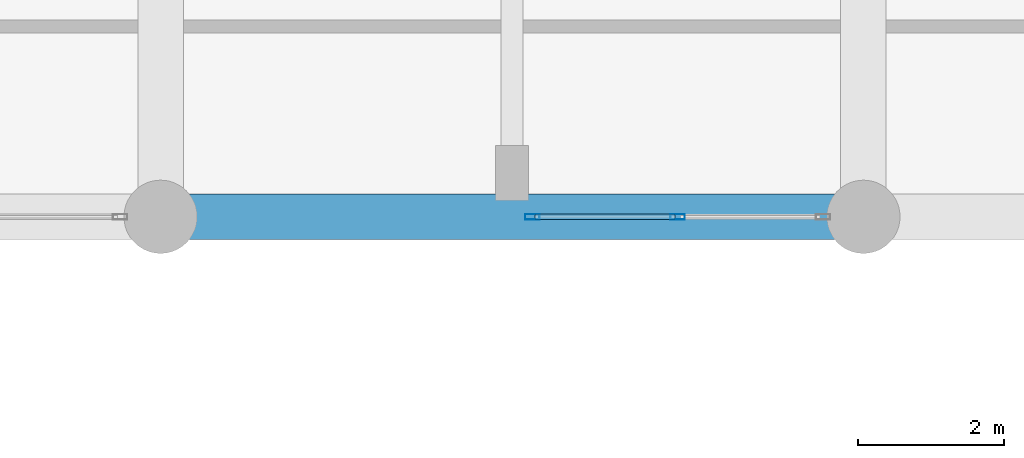
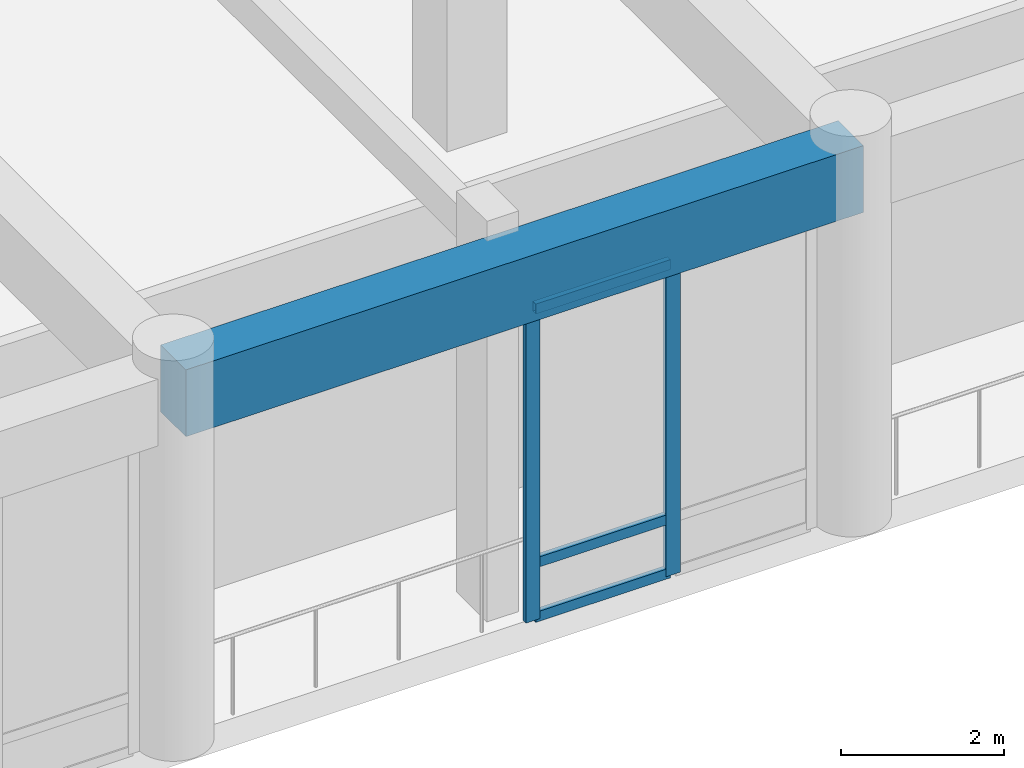
# One storey, part 29 of 87: 5 members, 1 beam, 1 element without a shape of its own.
"""IFC4 building model written with IfcOpenShell, lengths in metres."""

import ifcopenshell
import ifcopenshell.guid

model = None  # the IFC model being written
_history = None  # IfcOwnerHistory: only IFC2X3 demands one
_inside = {}  # id of a spatial element -> (the spatial element, [elements in it])
_under = {}  # id of a project, library or spatial element -> (it, [spatial elements below it])
_declared = {}  # id of a project -> (the project, [libraries it declares])
_typed = {}  # id of a type object -> (the type object, [elements of that type])
_made_of = {}  # id of a material, layer set ... -> (it, [elements and type objects made of it])


def new_model(schema):
    """Start an empty IFC model of exactly this schema.

    Asked for "IFC4X3", IfcOpenShell would pick the latest addendum, in which some entities
    have other attributes; the version numbers below select the first issue.
    IFC2X3 requires an IfcOwnerHistory on every rooted entity: one is made here for all.
    """
    global model, _history
    if schema == "IFC4X3":
        model = ifcopenshell.file(schema_version=(4, 3, 0, 0))
    else:
        model = ifcopenshell.file(schema=schema)
    _inside.clear()
    _under.clear()
    _declared.clear()
    _typed.clear()
    _made_of.clear()
    _history = None
    if model.schema == "IFC2X3":
        org = make("IfcOrganization", Name="unknown")
        user = make(
            "IfcPersonAndOrganization",
            ThePerson=make("IfcPerson", FamilyName="unknown"),
            TheOrganization=org,
        )
        app = make(
            "IfcApplication",
            ApplicationDeveloper=org,
            Version="unknown",
            ApplicationFullName="unknown",
            ApplicationIdentifier="unknown",
        )
        _history = make(
            "IfcOwnerHistory",
            OwningUser=user,
            OwningApplication=app,
            ChangeAction="ADDED",
            CreationDate=0,
        )
    return model


def make(cls, **values):
    """One entity of the class cls with the attributes given. An attribute that is None is left unset."""
    return model.create_entity(
        cls, **{name: value for name, value in values.items() if value is not None}
    )


def rooted(cls, **values):
    """An entity with a GlobalId (a new one), such as an element, a storey or a relation."""
    return make(cls, GlobalId=ifcopenshell.guid.new(), OwnerHistory=_history, **values)


def si_unit(unit_type, name, prefix=None):
    """IfcSIUnit, for example si_unit("LENGTHUNIT", "METRE", prefix="MILLI")."""
    return make("IfcSIUnit", UnitType=unit_type, Prefix=prefix, Name=name)


def assignment(units):
    """IfcUnitAssignment: the units of a project."""
    return None if units is None else make("IfcUnitAssignment", Units=units)


def point(xyz):
    """IfcCartesianPoint."""
    return None if xyz is None else make("IfcCartesianPoint", Coordinates=xyz)


def direction(xyz):
    """IfcDirection."""
    return None if xyz is None else make("IfcDirection", DirectionRatios=xyz)


def frame(location, z_axis=None, x_axis=None):
    """IfcAxis2Placement3D, a coordinate frame: its origin and axes. An axis left out is left unset."""
    return make(
        "IfcAxis2Placement3D",
        Location=point(location),
        Axis=direction(z_axis),
        RefDirection=direction(x_axis),
    )


def frame_2d(location, x_axis=None):
    """IfcAxis2Placement2D, a coordinate frame in the plane: its origin and x axis."""
    return make(
        "IfcAxis2Placement2D", Location=point(location), RefDirection=direction(x_axis)
    )


def origin():
    """The frame at (0, 0, 0) with its axes left unset."""
    return frame((0.0, 0.0, 0.0))


def origin_2d():
    """The frame at (0, 0) in the plane with its x axis left unset."""
    return frame_2d((0.0, 0.0))


def place(relative_to, where):
    """IfcLocalPlacement: puts the frame where relative to a parent placement (None: the world)."""
    return make(
        "IfcLocalPlacement", PlacementRelTo=relative_to, RelativePlacement=where
    )


def context(
    kind, dimensions, precision=None, world=None, true_north=None, identifier=None
):
    """IfcGeometricRepresentationContext, for example the 3D "Model" context."""
    return make(
        "IfcGeometricRepresentationContext",
        ContextIdentifier=identifier,
        ContextType=kind,
        CoordinateSpaceDimension=dimensions,
        Precision=precision,
        WorldCoordinateSystem=world,
        TrueNorth=true_north,
    )


def subcontext(parent, identifier, kind, view, scale=None):
    """IfcGeometricRepresentationSubContext, for example "Body" below "Model"."""
    return make(
        "IfcGeometricRepresentationSubContext",
        ContextIdentifier=identifier,
        ContextType=kind,
        ParentContext=parent,
        TargetScale=scale,
        TargetView=view,
    )


def project(units=None, contexts=None):
    """IfcProject with its units and contexts."""
    return rooted(
        "IfcProject",
        Name="project",
        RepresentationContexts=contexts,
        UnitsInContext=assignment(units),
    )


def spatial(cls, under=None, at=None, **own):
    """A site, building, storey or space (cls), placed at a placement, below another one or the project."""
    s = rooted(cls, ObjectPlacement=at, **own)
    if under is not None:
        _under.setdefault(under.id(), (under, []))[1].append(s)
    return s


def profile(cls, at=None, kind="AREA", **sizes):
    """A parametric profile (cls). Its sizes go by their IFC names, for example OverallWidth=200.0."""
    return make(cls, ProfileType=kind, Position=at, **sizes)


def rectangle(**sizes):
    """IfcRectangleProfileDef."""
    return profile("IfcRectangleProfileDef", **sizes)


def hollow_rectangle(**sizes):
    """IfcRectangleHollowProfileDef."""
    return profile("IfcRectangleHollowProfileDef", **sizes)


def extrude(swept, where, along, depth):
    """IfcExtrudedAreaSolid: the profile swept, set in the frame where, extruded along a direction by depth."""
    return make(
        "IfcExtrudedAreaSolid",
        SweptArea=swept,
        Position=where,
        ExtrudedDirection=direction(along),
        Depth=depth,
    )


def shape(context_of_items, identifier, shape_type, items):
    """IfcShapeRepresentation: the items that make up one representation, for example the "Body"."""
    return make(
        "IfcShapeRepresentation",
        ContextOfItems=context_of_items,
        RepresentationIdentifier=identifier,
        RepresentationType=shape_type,
        Items=items,
    )


def material(Name=None, Category=None):
    """IfcMaterial."""
    return make("IfcMaterial", Name=Name, Category=Category)


def layer(
    of_material, thickness, ventilated=None, Name=None, Category=None, Priority=None
):
    """IfcMaterialLayer: one layer of a wall or slab, of a material (None: an air gap)."""
    return make(
        "IfcMaterialLayer",
        Material=of_material,
        LayerThickness=thickness,
        IsVentilated=ventilated,
        Name=Name,
        Category=Category,
        Priority=Priority,
    )


def layer_set(layers, Name=None):
    """IfcMaterialLayerSet."""
    return make("IfcMaterialLayerSet", MaterialLayers=layers, LayerSetName=Name)


def material_profile(
    of_material, cross_section, Name=None, Category=None, Priority=None
):
    """IfcMaterialProfile: a cross section and its material."""
    return make(
        "IfcMaterialProfile",
        Name=Name,
        Material=of_material,
        Profile=cross_section,
        Priority=Priority,
        Category=Category,
    )


def profile_set(profiles, Name=None, composite=None):
    """IfcMaterialProfileSet."""
    return make(
        "IfcMaterialProfileSet",
        Name=Name,
        MaterialProfiles=profiles,
        CompositeProfile=composite,
    )


def made_of(thing, what):
    """Note that an element or type object is made of a material, layer set ...; save() writes the relation."""
    if what is not None:
        _made_of.setdefault(what.id(), (what, []))[1].append(thing)
    return thing


def type_object(cls, material=None, **own):
    """A type object (cls), such as IfcWallType, which elements share."""
    return made_of(rooted(cls, **own), material)


def element(
    cls,
    number,
    at=None,
    inside=None,
    cuts=None,
    type_object=None,
    material=None,
    context=None,
    identifier="Body",
    shape_type=None,
    held_by="IfcProductDefinitionShape",
    body=None,
    shapes=None,
    **own,
):
    """One element of the class cls, such as IfcWall. Its Tag is "e" and its number.

    at: its placement. inside: the storey or other place that contains it. cuts: it is an
    opening in that element (IfcRelVoidsElement). A single representation is given by context,
    identifier, shape_type and body (its items); several are given by shapes. held_by: the class
    of the entity that holds the representations. save() writes the other relations.
    """
    e = rooted(cls, Tag="e%d" % number, ObjectPlacement=at, **own)
    if body is not None:
        shapes = [shape(context, identifier, shape_type, body)]
    if shapes is not None:
        e.Representation = make(held_by, Representations=shapes)
    if inside is not None:
        _inside.setdefault(inside.id(), (inside, []))[1].append(e)
    if cuts is not None:
        rooted(
            "IfcRelVoidsElement", RelatingBuildingElement=cuts, RelatedOpeningElement=e
        )
    if type_object is not None:
        _typed.setdefault(type_object.id(), (type_object, []))[1].append(e)
    return made_of(e, material)


def aggregate(whole, parts):
    """IfcRelAggregates: a whole, such as a stair, and the parts it consists of."""
    return rooted("IfcRelAggregates", RelatingObject=whole, RelatedObjects=parts)


def save(model, path):
    """Write the relations noted so far, then the file.

    IfcRelAggregates (storeys below a building ...), IfcRelContainedInSpatialStructure (elements
    in a storey), IfcRelDefinesByType, IfcRelAssociatesMaterial and IfcRelDeclares: one each for
    every whole, place, type object, material and project.
    """
    for whole, parts in _under.values():
        aggregate(whole, parts)
    for where, things in _inside.values():
        rooted(
            "IfcRelContainedInSpatialStructure",
            RelatedElements=things,
            RelatingStructure=where,
        )
    for kind, things in _typed.values():
        rooted("IfcRelDefinesByType", RelatedObjects=things, RelatingType=kind)
    for what, things in _made_of.values():
        rooted("IfcRelAssociatesMaterial", RelatedObjects=things, RelatingMaterial=what)
    for by, libraries in _declared.values():
        rooted("IfcRelDeclares", RelatingContext=by, RelatedDefinitions=libraries)
    model.write(path)


model = new_model("IFC4")

# Units and contexts
model_context = context("Model", 3, precision=1e-05, world=origin(), true_north=direction((0.0, 1.0)))
body_context = subcontext(model_context, "Body", "Model", "MODEL_VIEW")
ifc_project = project(units=[si_unit("LENGTHUNIT", "METRE"), si_unit("AREAUNIT", "SQUARE_METRE"), si_unit("VOLUMEUNIT", "CUBIC_METRE"), si_unit("PLANEANGLEUNIT", "RADIAN"), si_unit("MASSUNIT", "GRAM", prefix="KILO")], contexts=[model_context])

# Site, building, storey
site_placement = place(None, origin())
site = spatial("IfcSite", under=ifc_project, at=site_placement, CompositionType="ELEMENT")
building_placement = place(site_placement, origin())
building = spatial("IfcBuilding", under=site, at=building_placement, Name="Nakhvara Creek Congress Hotel", CompositionType="ELEMENT")
storey_placement = place(building_placement, origin())
storey = spatial("IfcBuildingStorey", under=building, at=storey_placement, Name="L00", CompositionType="ELEMENT", Elevation=0.0)

# Beam
ifc_material_1 = material(Name="Concrete C50/60", Category="concrete")
ifc_material_profile_1 = material_profile(ifc_material_1, rectangle(XDim=0.6201171875, YDim=1.0, at=origin_2d()), Name="RC-BM 620x1000", Category="LoadBearing")
ifc_profile_set_1 = profile_set([ifc_material_profile_1], Name="Concrete C50/60")
beam_type = type_object("IfcBeamType", Name="BM-RC-620X1000", PredefinedType="BEAM", material=ifc_profile_set_1)
beam_placement = place(storey_placement, frame((86.39990234375, 76.800048828125, 5.199951171875), z_axis=(1.0, 0.0, 0.0), x_axis=(0.0, 1.0, 0.0)))
element("IfcBeam", 1, at=beam_placement, inside=storey, type_object=beam_type, Name="Beam B16-L00-0838", PredefinedType="BEAM", context=body_context, shape_type="SweptSolid", body=[
    extrude(rectangle(XDim=0.6201171875, YDim=1.0, at=origin_2d()), origin(), (0.0, 0.0, 1.0), 9.60009765625),
])

# Curtain wall, members
ifc_material_2 = material(Name="Bronze-anodised aluminium AW-6063-T6 and double-silver low-E glass", Category="aluminium")
ifc_layer = layer(ifc_material_2, 0.199951171875)
ifc_layer_set = layer_set([ifc_layer], Name="Bronze-anodised aluminium AW-6063-T6 and double-silver low-E glass")
curtain_wall_type = type_object("IfcCurtainWallType", Name="CW-POD-STICK", PredefinedType="NOTDEFINED", material=ifc_layer_set)
curtain_wall_placement = place(storey_placement, origin())
curtain_wall = element("IfcCurtainWall", 2, at=curtain_wall_placement, inside=storey, type_object=curtain_wall_type, Name="Curtain Wall CW004", PredefinedType="NOTDEFINED")
ifc_material_3 = material(Name="Bronze-anodised aluminium AW-6063-T6", Category="aluminium")
ifc_material_profile_2 = material_profile(ifc_material_3, hollow_rectangle(XDim=0.074951171875, YDim=0.199951171875, WallThickness=0.0048828125, at=origin_2d()), Name="ALU-MULL 75x200x5", Category="LoadBearing")
ifc_profile_set_2 = profile_set([ifc_material_profile_2], Name="Bronze-anodised aluminium AW-6063-T6")
member_type_1 = type_object("IfcMemberType", Name="CW-MULL-200", PredefinedType="MULLION", material=ifc_profile_set_2)
member_1_placement = place(storey_placement, frame((93.46240234375, 76.800048828125, 0.0), z_axis=(0.0, 0.0, 1.0), x_axis=(0.0, -1.0, 0.0)))
member_1 = element("IfcMember", 3, at=member_1_placement, type_object=member_type_1, Name="CW004 mullion 2", PredefinedType="MULLION", context=body_context, shape_type="SweptSolid", body=[
    extrude(hollow_rectangle(XDim=0.074951171875, YDim=0.199951171875, WallThickness=0.0048828125, at=origin_2d()), origin(), (0.0, 0.0, 1.0), 4.69189453125),
])
member_2_placement = place(storey_placement, frame((91.4775390625, 76.800048828125, 0.0), z_axis=(0.0, 0.0, 1.0), x_axis=(0.0, -1.0, 0.0)))
member_2 = element("IfcMember", 4, at=member_2_placement, type_object=member_type_1, Name="CW004 mullion 3", PredefinedType="MULLION", context=body_context, shape_type="SweptSolid", body=[
    extrude(hollow_rectangle(XDim=0.074951171875, YDim=0.199951171875, WallThickness=0.0048828125, at=origin_2d()), origin(), (0.0, 0.0, 1.0), 4.69189453125),
])
ifc_material_profile_3 = material_profile(ifc_material_3, hollow_rectangle(XDim=0.074951171875, YDim=0.14990234375, WallThickness=0.00390625, at=origin_2d()), Name="ALU-TRAN 75x150x4", Category="LoadBearing")
ifc_profile_set_3 = profile_set([ifc_material_profile_3], Name="Bronze-anodised aluminium AW-6063-T6")
member_type_2 = type_object("IfcMemberType", Name="CW-TRAN-150", PredefinedType="USERDEFINED", material=ifc_profile_set_3)
member_3_placement = place(storey_placement, frame((93.425048828125, 76.800048828125, 0.03759765625), z_axis=(-1.0, 0.0, 0.0), x_axis=(0.0, -1.0, 0.0)))
member_3 = element("IfcMember", 5, at=member_3_placement, type_object=member_type_2, Name="CW004 transom 2.1", ObjectType="TRANSOM", PredefinedType="USERDEFINED", context=body_context, shape_type="SweptSolid", body=[
    extrude(hollow_rectangle(XDim=0.074951171875, YDim=0.14990234375, WallThickness=0.00390625, at=origin_2d()), origin(), (0.0, 0.0, 1.0), 1.91015625),
])
member_4_placement = place(storey_placement, frame((93.425048828125, 76.800048828125, 0.85009765625), z_axis=(-1.0, 0.0, 0.0), x_axis=(0.0, -1.0, 0.0)))
member_4 = element("IfcMember", 6, at=member_4_placement, type_object=member_type_2, Name="CW004 transom 2.2", ObjectType="TRANSOM", PredefinedType="USERDEFINED", context=body_context, shape_type="SweptSolid", body=[
    extrude(hollow_rectangle(XDim=0.074951171875, YDim=0.14990234375, WallThickness=0.00390625, at=origin_2d()), origin(), (0.0, 0.0, 1.0), 1.91015625),
])
member_5_placement = place(storey_placement, frame((93.425048828125, 76.800048828125, 4.654541015625), z_axis=(-1.0, 0.0, 0.0), x_axis=(0.0, -1.0, 0.0)))
member_5 = element("IfcMember", 7, at=member_5_placement, type_object=member_type_2, Name="CW004 transom 2.3", ObjectType="TRANSOM", PredefinedType="USERDEFINED", context=body_context, shape_type="SweptSolid", body=[
    extrude(hollow_rectangle(XDim=0.074951171875, YDim=0.14990234375, WallThickness=0.00390625, at=origin_2d()), origin(), (0.0, 0.0, 1.0), 1.91015625),
])
aggregate(curtain_wall, [member_1, member_2, member_3, member_4, member_5])

save(model, "model.ifc")
